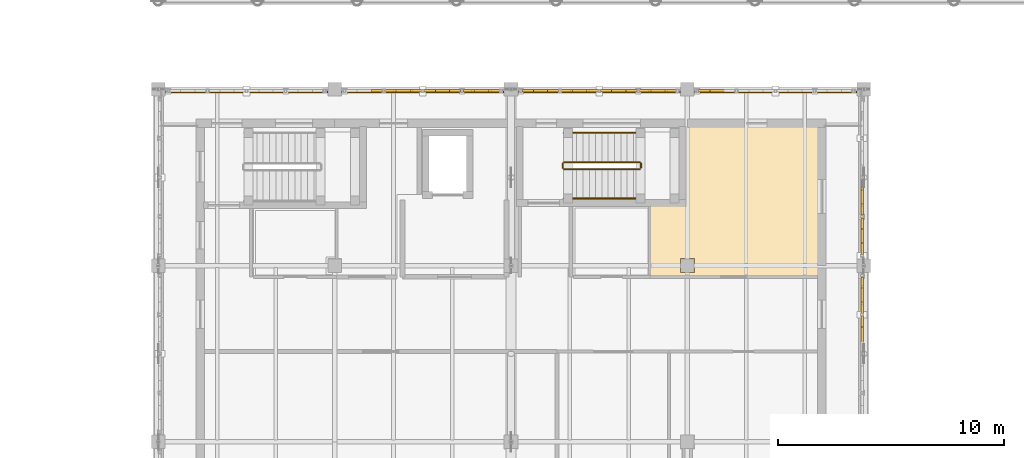
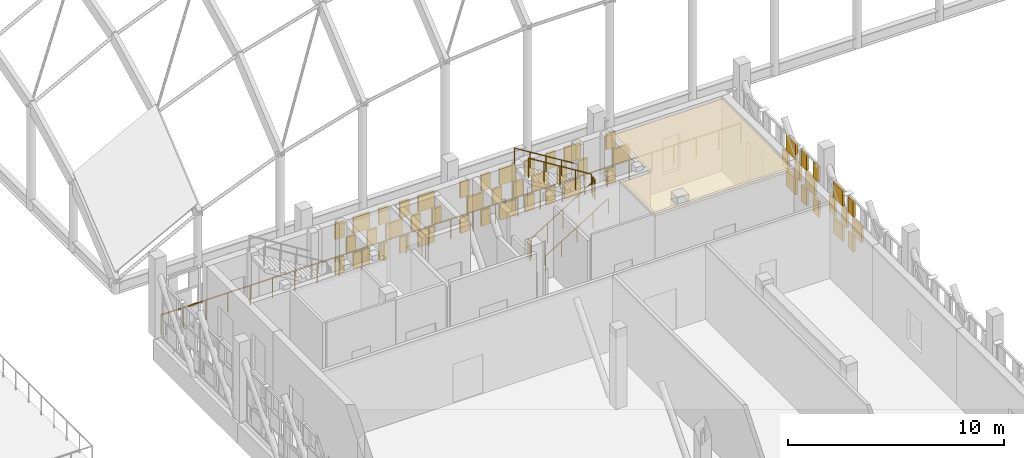
# One storey, part 111 of 119: 53 coverings, 7 railings.
"""IFC4 building model written with IfcOpenShell, lengths in metres."""

import ifcopenshell
import ifcopenshell.guid

model = None  # the IFC model being written
_history = None  # IfcOwnerHistory: only IFC2X3 demands one
_inside = {}  # id of a spatial element -> (the spatial element, [elements in it])
_under = {}  # id of a project, library or spatial element -> (it, [spatial elements below it])
_declared = {}  # id of a project -> (the project, [libraries it declares])
_typed = {}  # id of a type object -> (the type object, [elements of that type])
_made_of = {}  # id of a material, layer set ... -> (it, [elements and type objects made of it])


def new_model(schema):
    """Start an empty IFC model of exactly this schema.

    Asked for "IFC4X3", IfcOpenShell would pick the latest addendum, in which some entities
    have other attributes; the version numbers below select the first issue.
    IFC2X3 requires an IfcOwnerHistory on every rooted entity: one is made here for all.
    """
    global model, _history
    if schema == "IFC4X3":
        model = ifcopenshell.file(schema_version=(4, 3, 0, 0))
    else:
        model = ifcopenshell.file(schema=schema)
    _inside.clear()
    _under.clear()
    _declared.clear()
    _typed.clear()
    _made_of.clear()
    _history = None
    if model.schema == "IFC2X3":
        org = make("IfcOrganization", Name="unknown")
        user = make(
            "IfcPersonAndOrganization",
            ThePerson=make("IfcPerson", FamilyName="unknown"),
            TheOrganization=org,
        )
        app = make(
            "IfcApplication",
            ApplicationDeveloper=org,
            Version="unknown",
            ApplicationFullName="unknown",
            ApplicationIdentifier="unknown",
        )
        _history = make(
            "IfcOwnerHistory",
            OwningUser=user,
            OwningApplication=app,
            ChangeAction="ADDED",
            CreationDate=0,
        )
    return model


def make(cls, **values):
    """One entity of the class cls with the attributes given. An attribute that is None is left unset."""
    return model.create_entity(
        cls, **{name: value for name, value in values.items() if value is not None}
    )


def rooted(cls, **values):
    """An entity with a GlobalId (a new one), such as an element, a storey or a relation."""
    return make(cls, GlobalId=ifcopenshell.guid.new(), OwnerHistory=_history, **values)


def si_unit(unit_type, name, prefix=None):
    """IfcSIUnit, for example si_unit("LENGTHUNIT", "METRE", prefix="MILLI")."""
    return make("IfcSIUnit", UnitType=unit_type, Prefix=prefix, Name=name)


def assignment(units):
    """IfcUnitAssignment: the units of a project."""
    return None if units is None else make("IfcUnitAssignment", Units=units)


def point(xyz):
    """IfcCartesianPoint."""
    return None if xyz is None else make("IfcCartesianPoint", Coordinates=xyz)


def direction(xyz):
    """IfcDirection."""
    return None if xyz is None else make("IfcDirection", DirectionRatios=xyz)


def frame(location, z_axis=None, x_axis=None):
    """IfcAxis2Placement3D, a coordinate frame: its origin and axes. An axis left out is left unset."""
    return make(
        "IfcAxis2Placement3D",
        Location=point(location),
        Axis=direction(z_axis),
        RefDirection=direction(x_axis),
    )


def frame_2d(location, x_axis=None):
    """IfcAxis2Placement2D, a coordinate frame in the plane: its origin and x axis."""
    return make(
        "IfcAxis2Placement2D", Location=point(location), RefDirection=direction(x_axis)
    )


def origin():
    """The frame at (0, 0, 0) with its axes left unset."""
    return frame((0.0, 0.0, 0.0))


def origin_2d():
    """The frame at (0, 0) in the plane with its x axis left unset."""
    return frame_2d((0.0, 0.0))


def place(relative_to, where):
    """IfcLocalPlacement: puts the frame where relative to a parent placement (None: the world)."""
    return make(
        "IfcLocalPlacement", PlacementRelTo=relative_to, RelativePlacement=where
    )


def context(
    kind, dimensions, precision=None, world=None, true_north=None, identifier=None
):
    """IfcGeometricRepresentationContext, for example the 3D "Model" context."""
    return make(
        "IfcGeometricRepresentationContext",
        ContextIdentifier=identifier,
        ContextType=kind,
        CoordinateSpaceDimension=dimensions,
        Precision=precision,
        WorldCoordinateSystem=world,
        TrueNorth=true_north,
    )


def subcontext(parent, identifier, kind, view, scale=None):
    """IfcGeometricRepresentationSubContext, for example "Body" below "Model"."""
    return make(
        "IfcGeometricRepresentationSubContext",
        ContextIdentifier=identifier,
        ContextType=kind,
        ParentContext=parent,
        TargetScale=scale,
        TargetView=view,
    )


def project(units=None, contexts=None):
    """IfcProject with its units and contexts."""
    return rooted(
        "IfcProject",
        Name="project",
        RepresentationContexts=contexts,
        UnitsInContext=assignment(units),
    )


def spatial(cls, under=None, at=None, **own):
    """A site, building, storey or space (cls), placed at a placement, below another one or the project."""
    s = rooted(cls, ObjectPlacement=at, **own)
    if under is not None:
        _under.setdefault(under.id(), (under, []))[1].append(s)
    return s


def polyline(points):
    """IfcPolyline through the points."""
    return make("IfcPolyline", Points=[point(p) for p in points])


def profile(cls, at=None, kind="AREA", **sizes):
    """A parametric profile (cls). Its sizes go by their IFC names, for example OverallWidth=200.0."""
    return make(cls, ProfileType=kind, Position=at, **sizes)


def rectangle(**sizes):
    """IfcRectangleProfileDef."""
    return profile("IfcRectangleProfileDef", **sizes)


def circle(**sizes):
    """IfcCircleProfileDef."""
    return profile("IfcCircleProfileDef", **sizes)


def outline(outer, holes=None, kind="AREA"):
    """IfcArbitraryClosedProfileDef: a profile drawn as a closed curve; with holes, ...WithVoids."""
    if holes is None:
        return make("IfcArbitraryClosedProfileDef", ProfileType=kind, OuterCurve=outer)
    return make(
        "IfcArbitraryProfileDefWithVoids",
        ProfileType=kind,
        OuterCurve=outer,
        InnerCurves=holes,
    )


def extrude(swept, where, along, depth):
    """IfcExtrudedAreaSolid: the profile swept, set in the frame where, extruded along a direction by depth."""
    return make(
        "IfcExtrudedAreaSolid",
        SweptArea=swept,
        Position=where,
        ExtrudedDirection=direction(along),
        Depth=depth,
    )


def shape(context_of_items, identifier, shape_type, items):
    """IfcShapeRepresentation: the items that make up one representation, for example the "Body"."""
    return make(
        "IfcShapeRepresentation",
        ContextOfItems=context_of_items,
        RepresentationIdentifier=identifier,
        RepresentationType=shape_type,
        Items=items,
    )


def material(Name=None, Category=None):
    """IfcMaterial."""
    return make("IfcMaterial", Name=Name, Category=Category)


def layer(
    of_material, thickness, ventilated=None, Name=None, Category=None, Priority=None
):
    """IfcMaterialLayer: one layer of a wall or slab, of a material (None: an air gap)."""
    return make(
        "IfcMaterialLayer",
        Material=of_material,
        LayerThickness=thickness,
        IsVentilated=ventilated,
        Name=Name,
        Category=Category,
        Priority=Priority,
    )


def layer_set(layers, Name=None):
    """IfcMaterialLayerSet."""
    return make("IfcMaterialLayerSet", MaterialLayers=layers, LayerSetName=Name)


def made_of(thing, what):
    """Note that an element or type object is made of a material, layer set ...; save() writes the relation."""
    if what is not None:
        _made_of.setdefault(what.id(), (what, []))[1].append(thing)
    return thing


def type_object(cls, material=None, **own):
    """A type object (cls), such as IfcWallType, which elements share."""
    return made_of(rooted(cls, **own), material)


def element(
    cls,
    number,
    at=None,
    inside=None,
    cuts=None,
    type_object=None,
    material=None,
    context=None,
    identifier="Body",
    shape_type=None,
    held_by="IfcProductDefinitionShape",
    body=None,
    shapes=None,
    **own,
):
    """One element of the class cls, such as IfcWall. Its Tag is "e" and its number.

    at: its placement. inside: the storey or other place that contains it. cuts: it is an
    opening in that element (IfcRelVoidsElement). A single representation is given by context,
    identifier, shape_type and body (its items); several are given by shapes. held_by: the class
    of the entity that holds the representations. save() writes the other relations.
    """
    e = rooted(cls, Tag="e%d" % number, ObjectPlacement=at, **own)
    if body is not None:
        shapes = [shape(context, identifier, shape_type, body)]
    if shapes is not None:
        e.Representation = make(held_by, Representations=shapes)
    if inside is not None:
        _inside.setdefault(inside.id(), (inside, []))[1].append(e)
    if cuts is not None:
        rooted(
            "IfcRelVoidsElement", RelatingBuildingElement=cuts, RelatedOpeningElement=e
        )
    if type_object is not None:
        _typed.setdefault(type_object.id(), (type_object, []))[1].append(e)
    return made_of(e, material)


def aggregate(whole, parts):
    """IfcRelAggregates: a whole, such as a stair, and the parts it consists of."""
    return rooted("IfcRelAggregates", RelatingObject=whole, RelatedObjects=parts)


def save(model, path):
    """Write the relations noted so far, then the file.

    IfcRelAggregates (storeys below a building ...), IfcRelContainedInSpatialStructure (elements
    in a storey), IfcRelDefinesByType, IfcRelAssociatesMaterial and IfcRelDeclares: one each for
    every whole, place, type object, material and project.
    """
    for whole, parts in _under.values():
        aggregate(whole, parts)
    for where, things in _inside.values():
        rooted(
            "IfcRelContainedInSpatialStructure",
            RelatedElements=things,
            RelatingStructure=where,
        )
    for kind, things in _typed.values():
        rooted("IfcRelDefinesByType", RelatedObjects=things, RelatingType=kind)
    for what, things in _made_of.values():
        rooted("IfcRelAssociatesMaterial", RelatedObjects=things, RelatingMaterial=what)
    for by, libraries in _declared.values():
        rooted("IfcRelDeclares", RelatingContext=by, RelatedDefinitions=libraries)
    model.write(path)


model = new_model("IFC4")

# Units and contexts
model_context = context("Model", 3, precision=1e-05, world=origin(), true_north=direction((0.0, 1.0)))
body_context = subcontext(model_context, "Body", "Model", "MODEL_VIEW")
ifc_project = project(units=[si_unit("LENGTHUNIT", "METRE"), si_unit("AREAUNIT", "SQUARE_METRE"), si_unit("VOLUMEUNIT", "CUBIC_METRE"), si_unit("PLANEANGLEUNIT", "RADIAN"), si_unit("MASSUNIT", "GRAM", prefix="KILO")], contexts=[model_context])

# Site, building, storey
site_placement = place(None, origin())
site = spatial("IfcSite", under=ifc_project, at=site_placement, CompositionType="ELEMENT")
building_placement = place(site_placement, origin())
building = spatial("IfcBuilding", under=site, at=building_placement, Name="Celorna Specialist Clinic", CompositionType="ELEMENT")
storey_placement = place(building_placement, frame((0.0, 0.0, 9.60009765625)))
storey = spatial("IfcBuildingStorey", under=building, at=storey_placement, Name="L02", CompositionType="ELEMENT", Elevation=9.60009765625)

# Railing
ifc_material_1 = material(Name="Stainless steel and laminated glass balustrade", Category="steel")
railing_type_1 = type_object("IfcRailingType", Name="BL-01", PredefinedType="BALUSTRADE", material=ifc_material_1)
railing_1_placement = place(storey_placement, frame((54.719970703125, 42.780029296875, 0.0)))
element("IfcRailing", 1, at=railing_1_placement, inside=storey, type_object=railing_type_1, Name="Lecture Wing North Court Veranda L02 perimeter balustrade 2", PredefinedType="BALUSTRADE", context=body_context, shape_type="SweptSolid", body=[
    extrude(circle(Radius=0.02392578125, at=origin_2d()), frame((0.0, 0.0, 1.09619140625), z_axis=(1.0, 0.0, 0.0), x_axis=(0.0, 1.0, 0.0)), (0.0, 0.0, 1.0), 30.9599609375),
    extrude(circle(Radius=0.02099609375, at=origin_2d()), origin(), (0.0, 0.0, 1.0), 1.072021484375),
    extrude(circle(Radius=0.02099609375, at=origin_2d()), frame((1.190673828125, 0.0, 0.0)), (0.0, 0.0, 1.0), 1.072021484375),
    extrude(circle(Radius=0.02099609375, at=origin_2d()), frame((2.381591796875, 0.0, 0.0)), (0.0, 0.0, 1.0), 1.072021484375),
    extrude(circle(Radius=0.02099609375, at=origin_2d()), frame((3.572265625, 0.0, 0.0)), (0.0, 0.0, 1.0), 1.072021484375),
    extrude(circle(Radius=0.02099609375, at=origin_2d()), frame((4.76318359375, 0.0, 0.0)), (0.0, 0.0, 1.0), 1.072021484375),
    extrude(circle(Radius=0.02099609375, at=origin_2d()), frame((5.953857421875, 0.0, 0.0)), (0.0, 0.0, 1.0), 1.072021484375),
    extrude(circle(Radius=0.02099609375, at=origin_2d()), frame((7.14453125, 0.0, 0.0)), (0.0, 0.0, 1.0), 1.072021484375),
    extrude(circle(Radius=0.02099609375, at=origin_2d()), frame((8.33544921875, 0.0, 0.0)), (0.0, 0.0, 1.0), 1.072021484375),
    extrude(circle(Radius=0.02099609375, at=origin_2d()), frame((9.526123046875, 0.0, 0.0)), (0.0, 0.0, 1.0), 1.072021484375),
    extrude(circle(Radius=0.02099609375, at=origin_2d()), frame((10.716796875, 0.0, 0.0)), (0.0, 0.0, 1.0), 1.072021484375),
    extrude(circle(Radius=0.02099609375, at=origin_2d()), frame((11.90771484375, 0.0, 0.0)), (0.0, 0.0, 1.0), 1.072021484375),
    extrude(circle(Radius=0.02099609375, at=origin_2d()), frame((13.098388671875, 0.0, 0.0)), (0.0, 0.0, 1.0), 1.072021484375),
    extrude(circle(Radius=0.02099609375, at=origin_2d()), frame((14.289306640625, 0.0, 0.0)), (0.0, 0.0, 1.0), 1.072021484375),
    extrude(circle(Radius=0.02099609375, at=origin_2d()), frame((15.47998046875, 0.0, 0.0)), (0.0, 0.0, 1.0), 1.072021484375),
    extrude(circle(Radius=0.02099609375, at=origin_2d()), frame((16.670654296875, 0.0, 0.0)), (0.0, 0.0, 1.0), 1.072021484375),
    extrude(circle(Radius=0.02099609375, at=origin_2d()), frame((17.861572265625, 0.0, 0.0)), (0.0, 0.0, 1.0), 1.072021484375),
    extrude(circle(Radius=0.02099609375, at=origin_2d()), frame((19.05224609375, 0.0, 0.0)), (0.0, 0.0, 1.0), 1.072021484375),
    extrude(circle(Radius=0.02099609375, at=origin_2d()), frame((20.2431640625, 0.0, 0.0)), (0.0, 0.0, 1.0), 1.072021484375),
    extrude(circle(Radius=0.02099609375, at=origin_2d()), frame((21.433837890625, 0.0, 0.0)), (0.0, 0.0, 1.0), 1.072021484375),
    extrude(circle(Radius=0.02099609375, at=origin_2d()), frame((22.62451171875, 0.0, 0.0)), (0.0, 0.0, 1.0), 1.072021484375),
    extrude(circle(Radius=0.02099609375, at=origin_2d()), frame((23.8154296875, 0.0, 0.0)), (0.0, 0.0, 1.0), 1.072021484375),
    extrude(circle(Radius=0.02099609375, at=origin_2d()), frame((25.006103515625, 0.0, 0.0)), (0.0, 0.0, 1.0), 1.072021484375),
    extrude(circle(Radius=0.02099609375, at=origin_2d()), frame((26.19677734375, 0.0, 0.0)), (0.0, 0.0, 1.0), 1.072021484375),
    extrude(circle(Radius=0.02099609375, at=origin_2d()), frame((27.3876953125, 0.0, 0.0)), (0.0, 0.0, 1.0), 1.072021484375),
    extrude(circle(Radius=0.02099609375, at=origin_2d()), frame((28.578369140625, 0.0, 0.0)), (0.0, 0.0, 1.0), 1.072021484375),
    extrude(circle(Radius=0.02099609375, at=origin_2d()), frame((29.769287109375, 0.0, 0.0)), (0.0, 0.0, 1.0), 1.072021484375),
    extrude(circle(Radius=0.02099609375, at=origin_2d()), frame((30.9599609375, 0.0, 0.0)), (0.0, 0.0, 1.0), 1.072021484375),
])

# Coverings
ifc_material_2 = material(Name="Hygienic acoustic mineral-fibre ceiling")
ifc_layer_1 = layer(ifc_material_2, 0.030029296875, Name="Hygienic acoustic mineral-fibre ceiling")
ifc_layer_set_1 = layer_set([ifc_layer_1], Name="Hygienic acoustic mineral-fibre ceiling")
covering_type_1 = type_object("IfcCoveringType", Name="CE-01", PredefinedType="CEILING", material=ifc_layer_set_1)
covering_1_placement = place(storey_placement, frame((0.0, 0.0, 4.02978515625)))
element("IfcCovering", 2, at=covering_1_placement, inside=storey, type_object=covering_type_1, Name="Acoustic ceiling L02-071", PredefinedType="CEILING", context=body_context, shape_type="SweptSolid", body=[
    extrude(outline(polyline([(76.324951171875, 34.5849609375), (76.324951171875, 37.735107421875), (77.925048828125, 37.735107421875), (77.925048828125, 41.22509765625), (83.77490234375, 41.22509765625), (83.77490234375, 34.5849609375), (76.324951171875, 34.5849609375)]), holes=[polyline([(78.304931640625, 35.405029296875), (77.695068359375, 35.405029296875), (77.695068359375, 34.794921875), (78.304931640625, 34.794921875), (78.304931640625, 35.405029296875)])]), origin(), (0.0, 0.0, 1.0), 0.030029296875),
])
ifc_material_3 = material(Name="Perforated terracotta brick weave cladding", Category="masonry")
ifc_layer_2 = layer(ifc_material_3, 0.114990234375, Name="Perforated terracotta brick weave cladding")
ifc_layer_set_2 = layer_set([ifc_layer_2], Name="Perforated terracotta brick weave cladding")
covering_type_2 = type_object("IfcCoveringType", Name="CL-02", PredefinedType="CLADDING", material=ifc_layer_set_2)
covering_2_placement = place(storey_placement, frame((85.72998046875, 32.62451171875, 0.099609375), z_axis=(0.0, 0.0, 1.0), x_axis=(0.0, 1.0, 0.0)))
element("IfcCovering", 3, at=covering_2_placement, inside=storey, type_object=covering_type_2, Name="Woven perforated terracotta brick course #365", PredefinedType="CLADDING", context=body_context, shape_type="SweptSolid", body=[
    extrude(rectangle(XDim=0.4912109375, YDim=0.114990234375, at=origin_2d()), origin(), (0.0, 0.0, 1.0), 0.893310546875),
])
covering_3_placement = place(storey_placement, frame((85.72998046875, 32.06494140625, 1.09326171875), z_axis=(0.0, 0.0, 1.0), x_axis=(0.0, 1.0, 0.0)))
element("IfcCovering", 4, at=covering_3_placement, inside=storey, type_object=covering_type_2, Name="Woven perforated terracotta brick course #366", PredefinedType="CLADDING", context=body_context, shape_type="SweptSolid", body=[
    extrude(rectangle(XDim=0.869384765625, YDim=0.114990234375, at=origin_2d()), origin(), (0.0, 0.0, 1.0), 0.893310546875),
])
covering_4_placement = place(storey_placement, frame((85.72998046875, 32.62451171875, 2.08642578125), z_axis=(0.0, 0.0, 1.0), x_axis=(0.0, 1.0, 0.0)))
element("IfcCovering", 5, at=covering_4_placement, inside=storey, type_object=covering_type_2, Name="Woven perforated terracotta brick course #368", PredefinedType="CLADDING", context=body_context, shape_type="SweptSolid", body=[
    extrude(rectangle(XDim=0.4912109375, YDim=0.114990234375, at=origin_2d()), origin(), (0.0, 0.0, 1.0), 0.893310546875),
])
covering_5_placement = place(storey_placement, frame((85.72998046875, 33.794921875, 0.099609375), z_axis=(0.0, 0.0, 1.0), x_axis=(0.0, 1.0, 0.0)))
element("IfcCovering", 6, at=covering_5_placement, inside=storey, type_object=covering_type_2, Name="Woven perforated terracotta brick course #369", PredefinedType="CLADDING", context=body_context, shape_type="SweptSolid", body=[
    extrude(rectangle(XDim=0.869384765625, YDim=0.114990234375, at=origin_2d()), origin(), (0.0, 0.0, 1.0), 0.893310546875),
])
for number, where, z_axis, x_axis, name in (
    (7, (85.72998046875, 33.235595703125, 1.09326171875), (0.0, 0.0, 1.0), (0.0, 1.0, 0.0), "Woven perforated terracotta brick course #370"),
    (8, (85.72998046875, 34.3544921875, 1.09326171875), (0.0, 0.0, 1.0), (0.0, 1.0, 0.0), "Woven perforated terracotta brick course #371"),
):
    element("IfcCovering", number, at=place(storey_placement, frame(where, z_axis=z_axis, x_axis=x_axis)), inside=storey, type_object=covering_type_2, Name=name, PredefinedType="CLADDING", context=body_context, shape_type="SweptSolid", body=[
        extrude(rectangle(XDim=0.4912109375, YDim=0.114990234375, at=origin_2d()), origin(), (0.0, 0.0, 1.0), 0.893310546875),
    ])
covering_6_placement = place(storey_placement, frame((85.72998046875, 33.794921875, 2.08642578125), z_axis=(0.0, 0.0, 1.0), x_axis=(0.0, 1.0, 0.0)))
element("IfcCovering", 9, at=covering_6_placement, inside=storey, type_object=covering_type_2, Name="Woven perforated terracotta brick course #372", PredefinedType="CLADDING", context=body_context, shape_type="SweptSolid", body=[
    extrude(rectangle(XDim=0.869384765625, YDim=0.114990234375, at=origin_2d()), origin(), (0.0, 0.0, 1.0), 0.893310546875),
])
for number, where, z_axis, x_axis, name in (
    (10, (85.72998046875, 35.845458984375, 0.099609375), (0.0, 0.0, 1.0), (0.0, 1.0, 0.0), "Woven perforated terracotta brick course #373"),
    (11, (85.72998046875, 36.96435546875, 0.099609375), (0.0, 0.0, 1.0), (0.0, 1.0, 0.0), "Woven perforated terracotta brick course #374"),
):
    element("IfcCovering", number, at=place(storey_placement, frame(where, z_axis=z_axis, x_axis=x_axis)), inside=storey, type_object=covering_type_2, Name=name, PredefinedType="CLADDING", context=body_context, shape_type="SweptSolid", body=[
        extrude(rectangle(XDim=0.4912109375, YDim=0.114990234375, at=origin_2d()), origin(), (0.0, 0.0, 1.0), 0.893310546875),
    ])
covering_7_placement = place(storey_placement, frame((85.72998046875, 36.405029296875, 1.09326171875), z_axis=(0.0, 0.0, 1.0), x_axis=(0.0, 1.0, 0.0)))
element("IfcCovering", 12, at=covering_7_placement, inside=storey, type_object=covering_type_2, Name="Woven perforated terracotta brick course #375", PredefinedType="CLADDING", context=body_context, shape_type="SweptSolid", body=[
    extrude(rectangle(XDim=0.869384765625, YDim=0.114990234375, at=origin_2d()), origin(), (0.0, 0.0, 1.0), 0.893310546875),
])
for number, where, z_axis, x_axis, name in (
    (13, (85.72998046875, 35.845458984375, 2.08642578125), (0.0, 0.0, 1.0), (0.0, 1.0, 0.0), "Woven perforated terracotta brick course #376"),
    (14, (85.72998046875, 36.96435546875, 2.08642578125), (0.0, 0.0, 1.0), (0.0, 1.0, 0.0), "Woven perforated terracotta brick course #377"),
):
    element("IfcCovering", number, at=place(storey_placement, frame(where, z_axis=z_axis, x_axis=x_axis)), inside=storey, type_object=covering_type_2, Name=name, PredefinedType="CLADDING", context=body_context, shape_type="SweptSolid", body=[
        extrude(rectangle(XDim=0.4912109375, YDim=0.114990234375, at=origin_2d()), origin(), (0.0, 0.0, 1.0), 0.893310546875),
    ])
covering_8_placement = place(storey_placement, frame((85.72998046875, 38.135009765625, 0.099609375), z_axis=(0.0, 0.0, 1.0), x_axis=(0.0, 1.0, 0.0)))
element("IfcCovering", 15, at=covering_8_placement, inside=storey, type_object=covering_type_2, Name="Woven perforated terracotta brick course #378", PredefinedType="CLADDING", context=body_context, shape_type="SweptSolid", body=[
    extrude(rectangle(XDim=0.869384765625, YDim=0.114990234375, at=origin_2d()), origin(), (0.0, 0.0, 1.0), 0.893310546875),
])
for number, where, z_axis, x_axis, name in (
    (16, (85.72998046875, 37.575439453125, 1.09326171875), (0.0, 0.0, 1.0), (0.0, 1.0, 0.0), "Woven perforated terracotta brick course #379"),
    (17, (85.72998046875, 38.694580078125, 1.09326171875), (0.0, 0.0, 1.0), (0.0, 1.0, 0.0), "Woven perforated terracotta brick course #380"),
):
    element("IfcCovering", number, at=place(storey_placement, frame(where, z_axis=z_axis, x_axis=x_axis)), inside=storey, type_object=covering_type_2, Name=name, PredefinedType="CLADDING", context=body_context, shape_type="SweptSolid", body=[
        extrude(rectangle(XDim=0.4912109375, YDim=0.114990234375, at=origin_2d()), origin(), (0.0, 0.0, 1.0), 0.893310546875),
    ])
covering_9_placement = place(storey_placement, frame((85.72998046875, 38.135009765625, 2.08642578125), z_axis=(0.0, 0.0, 1.0), x_axis=(0.0, 1.0, 0.0)))
element("IfcCovering", 18, at=covering_9_placement, inside=storey, type_object=covering_type_2, Name="Woven perforated terracotta brick course #381", PredefinedType="CLADDING", context=body_context, shape_type="SweptSolid", body=[
    extrude(rectangle(XDim=0.869384765625, YDim=0.114990234375, at=origin_2d()), origin(), (0.0, 0.0, 1.0), 0.893310546875),
])
for number, where, z_axis, x_axis, name in (
    (19, (64.264404296875, 42.830078125, 0.099609375), (0.0, 0.0, 1.0), (1.0, 0.0, 0.0), "Woven perforated terracotta brick course #492"),
    (20, (64.264404296875, 42.830078125, 2.08642578125), (0.0, 0.0, 1.0), (1.0, 0.0, 0.0), "Woven perforated terracotta brick course #495"),
):
    element("IfcCovering", number, at=place(storey_placement, frame(where, z_axis=z_axis, x_axis=x_axis)), inside=storey, type_object=covering_type_2, Name=name, PredefinedType="CLADDING", context=body_context, shape_type="SweptSolid", body=[
        extrude(rectangle(XDim=0.4912109375, YDim=0.114990234375, at=origin_2d()), origin(), (0.0, 0.0, 1.0), 0.893310546875),
    ])
covering_10_placement = place(storey_placement, frame((65.43505859375, 42.830078125, 0.099609375), z_axis=(0.0, 0.0, 1.0), x_axis=(1.0, 0.0, 0.0)))
element("IfcCovering", 21, at=covering_10_placement, inside=storey, type_object=covering_type_2, Name="Woven perforated terracotta brick course #496", PredefinedType="CLADDING", context=body_context, shape_type="SweptSolid", body=[
    extrude(rectangle(XDim=0.869384765625, YDim=0.114990234375, at=origin_2d()), origin(), (0.0, 0.0, 1.0), 0.893310546875),
])
for number, where, z_axis, x_axis, name in (
    (22, (64.87548828125, 42.830078125, 1.09326171875), (0.0, 0.0, 1.0), (1.0, 0.0, 0.0), "Woven perforated terracotta brick course #497"),
    (23, (65.994384765625, 42.830078125, 1.09326171875), (0.0, 0.0, 1.0), (1.0, 0.0, 0.0), "Woven perforated terracotta brick course #498"),
):
    element("IfcCovering", number, at=place(storey_placement, frame(where, z_axis=z_axis, x_axis=x_axis)), inside=storey, type_object=covering_type_2, Name=name, PredefinedType="CLADDING", context=body_context, shape_type="SweptSolid", body=[
        extrude(rectangle(XDim=0.4912109375, YDim=0.114990234375, at=origin_2d()), origin(), (0.0, 0.0, 1.0), 0.893310546875),
    ])
covering_11_placement = place(storey_placement, frame((65.43505859375, 42.830078125, 2.08642578125), z_axis=(0.0, 0.0, 1.0), x_axis=(1.0, 0.0, 0.0)))
element("IfcCovering", 24, at=covering_11_placement, inside=storey, type_object=covering_type_2, Name="Woven perforated terracotta brick course #499", PredefinedType="CLADDING", context=body_context, shape_type="SweptSolid", body=[
    extrude(rectangle(XDim=0.869384765625, YDim=0.114990234375, at=origin_2d()), origin(), (0.0, 0.0, 1.0), 0.893310546875),
])
for number, where, z_axis, x_axis, name in (
    (25, (66.60546875, 42.830078125, 0.099609375), (0.0, 0.0, 1.0), (1.0, 0.0, 0.0), "Woven perforated terracotta brick course #500"),
    (26, (67.724609375, 42.830078125, 0.099609375), (0.0, 0.0, 1.0), (1.0, 0.0, 0.0), "Woven perforated terracotta brick course #501"),
):
    element("IfcCovering", number, at=place(storey_placement, frame(where, z_axis=z_axis, x_axis=x_axis)), inside=storey, type_object=covering_type_2, Name=name, PredefinedType="CLADDING", context=body_context, shape_type="SweptSolid", body=[
        extrude(rectangle(XDim=0.4912109375, YDim=0.114990234375, at=origin_2d()), origin(), (0.0, 0.0, 1.0), 0.893310546875),
    ])
covering_12_placement = place(storey_placement, frame((67.1650390625, 42.830078125, 1.09326171875), z_axis=(0.0, 0.0, 1.0), x_axis=(1.0, 0.0, 0.0)))
element("IfcCovering", 27, at=covering_12_placement, inside=storey, type_object=covering_type_2, Name="Woven perforated terracotta brick course #502", PredefinedType="CLADDING", context=body_context, shape_type="SweptSolid", body=[
    extrude(rectangle(XDim=0.869384765625, YDim=0.114990234375, at=origin_2d()), origin(), (0.0, 0.0, 1.0), 0.893310546875),
])
for number, where, z_axis, x_axis, name in (
    (28, (66.60546875, 42.830078125, 2.08642578125), (0.0, 0.0, 1.0), (1.0, 0.0, 0.0), "Woven perforated terracotta brick course #503"),
    (29, (67.724609375, 42.830078125, 2.08642578125), (0.0, 0.0, 1.0), (1.0, 0.0, 0.0), "Woven perforated terracotta brick course #504"),
):
    element("IfcCovering", number, at=place(storey_placement, frame(where, z_axis=z_axis, x_axis=x_axis)), inside=storey, type_object=covering_type_2, Name=name, PredefinedType="CLADDING", context=body_context, shape_type="SweptSolid", body=[
        extrude(rectangle(XDim=0.4912109375, YDim=0.114990234375, at=origin_2d()), origin(), (0.0, 0.0, 1.0), 0.893310546875),
    ])
covering_13_placement = place(storey_placement, frame((68.89501953125, 42.830078125, 0.099609375), z_axis=(0.0, 0.0, 1.0), x_axis=(1.0, 0.0, 0.0)))
element("IfcCovering", 30, at=covering_13_placement, inside=storey, type_object=covering_type_2, Name="Woven perforated terracotta brick course #505", PredefinedType="CLADDING", context=body_context, shape_type="SweptSolid", body=[
    extrude(rectangle(XDim=0.869384765625, YDim=0.114990234375, at=origin_2d()), origin(), (0.0, 0.0, 1.0), 0.893310546875),
])
for number, where, z_axis, x_axis, name in (
    (31, (68.33544921875, 42.830078125, 1.09326171875), (0.0, 0.0, 1.0), (1.0, 0.0, 0.0), "Woven perforated terracotta brick course #506"),
    (32, (69.45458984375, 42.830078125, 1.09326171875), (0.0, 0.0, 1.0), (1.0, 0.0, 0.0), "Woven perforated terracotta brick course #507"),
):
    element("IfcCovering", number, at=place(storey_placement, frame(where, z_axis=z_axis, x_axis=x_axis)), inside=storey, type_object=covering_type_2, Name=name, PredefinedType="CLADDING", context=body_context, shape_type="SweptSolid", body=[
        extrude(rectangle(XDim=0.4912109375, YDim=0.114990234375, at=origin_2d()), origin(), (0.0, 0.0, 1.0), 0.893310546875),
    ])
covering_14_placement = place(storey_placement, frame((68.89501953125, 42.830078125, 2.08642578125), z_axis=(0.0, 0.0, 1.0), x_axis=(1.0, 0.0, 0.0)))
element("IfcCovering", 33, at=covering_14_placement, inside=storey, type_object=covering_type_2, Name="Woven perforated terracotta brick course #508", PredefinedType="CLADDING", context=body_context, shape_type="SweptSolid", body=[
    extrude(rectangle(XDim=0.869384765625, YDim=0.114990234375, at=origin_2d()), origin(), (0.0, 0.0, 1.0), 0.893310546875),
])
for number, where, z_axis, x_axis, name in (
    (34, (70.945556640625, 42.830078125, 0.099609375), (0.0, 0.0, 1.0), (1.0, 0.0, 0.0), "Woven perforated terracotta brick course #509"),
    (35, (72.064453125, 42.830078125, 0.099609375), (0.0, 0.0, 1.0), (1.0, 0.0, 0.0), "Woven perforated terracotta brick course #510"),
):
    element("IfcCovering", number, at=place(storey_placement, frame(where, z_axis=z_axis, x_axis=x_axis)), inside=storey, type_object=covering_type_2, Name=name, PredefinedType="CLADDING", context=body_context, shape_type="SweptSolid", body=[
        extrude(rectangle(XDim=0.4912109375, YDim=0.114990234375, at=origin_2d()), origin(), (0.0, 0.0, 1.0), 0.893310546875),
    ])
covering_15_placement = place(storey_placement, frame((71.5048828125, 42.830078125, 1.09326171875), z_axis=(0.0, 0.0, 1.0), x_axis=(1.0, 0.0, 0.0)))
element("IfcCovering", 36, at=covering_15_placement, inside=storey, type_object=covering_type_2, Name="Woven perforated terracotta brick course #511", PredefinedType="CLADDING", context=body_context, shape_type="SweptSolid", body=[
    extrude(rectangle(XDim=0.869384765625, YDim=0.114990234375, at=origin_2d()), origin(), (0.0, 0.0, 1.0), 0.893310546875),
])
for number, where, z_axis, x_axis, name in (
    (37, (70.945556640625, 42.830078125, 2.08642578125), (0.0, 0.0, 1.0), (1.0, 0.0, 0.0), "Woven perforated terracotta brick course #512"),
    (38, (72.064453125, 42.830078125, 2.08642578125), (0.0, 0.0, 1.0), (1.0, 0.0, 0.0), "Woven perforated terracotta brick course #513"),
):
    element("IfcCovering", number, at=place(storey_placement, frame(where, z_axis=z_axis, x_axis=x_axis)), inside=storey, type_object=covering_type_2, Name=name, PredefinedType="CLADDING", context=body_context, shape_type="SweptSolid", body=[
        extrude(rectangle(XDim=0.4912109375, YDim=0.114990234375, at=origin_2d()), origin(), (0.0, 0.0, 1.0), 0.893310546875),
    ])
covering_16_placement = place(storey_placement, frame((73.235107421875, 42.830078125, 0.099609375), z_axis=(0.0, 0.0, 1.0), x_axis=(1.0, 0.0, 0.0)))
element("IfcCovering", 39, at=covering_16_placement, inside=storey, type_object=covering_type_2, Name="Woven perforated terracotta brick course #514", PredefinedType="CLADDING", context=body_context, shape_type="SweptSolid", body=[
    extrude(rectangle(XDim=0.869384765625, YDim=0.114990234375, at=origin_2d()), origin(), (0.0, 0.0, 1.0), 0.893310546875),
])
for number, where, z_axis, x_axis, name in (
    (40, (72.675537109375, 42.830078125, 1.09326171875), (0.0, 0.0, 1.0), (1.0, 0.0, 0.0), "Woven perforated terracotta brick course #515"),
    (41, (73.79443359375, 42.830078125, 1.09326171875), (0.0, 0.0, 1.0), (1.0, 0.0, 0.0), "Woven perforated terracotta brick course #516"),
):
    element("IfcCovering", number, at=place(storey_placement, frame(where, z_axis=z_axis, x_axis=x_axis)), inside=storey, type_object=covering_type_2, Name=name, PredefinedType="CLADDING", context=body_context, shape_type="SweptSolid", body=[
        extrude(rectangle(XDim=0.4912109375, YDim=0.114990234375, at=origin_2d()), origin(), (0.0, 0.0, 1.0), 0.893310546875),
    ])
covering_17_placement = place(storey_placement, frame((73.235107421875, 42.830078125, 2.08642578125), z_axis=(0.0, 0.0, 1.0), x_axis=(1.0, 0.0, 0.0)))
element("IfcCovering", 42, at=covering_17_placement, inside=storey, type_object=covering_type_2, Name="Woven perforated terracotta brick course #517", PredefinedType="CLADDING", context=body_context, shape_type="SweptSolid", body=[
    extrude(rectangle(XDim=0.869384765625, YDim=0.114990234375, at=origin_2d()), origin(), (0.0, 0.0, 1.0), 0.893310546875),
])
for number, where, z_axis, x_axis, name in (
    (43, (74.405517578125, 42.830078125, 0.099609375), (0.0, 0.0, 1.0), (1.0, 0.0, 0.0), "Woven perforated terracotta brick course #518"),
    (44, (75.5244140625, 42.830078125, 0.099609375), (0.0, 0.0, 1.0), (1.0, 0.0, 0.0), "Woven perforated terracotta brick course #519"),
):
    element("IfcCovering", number, at=place(storey_placement, frame(where, z_axis=z_axis, x_axis=x_axis)), inside=storey, type_object=covering_type_2, Name=name, PredefinedType="CLADDING", context=body_context, shape_type="SweptSolid", body=[
        extrude(rectangle(XDim=0.4912109375, YDim=0.114990234375, at=origin_2d()), origin(), (0.0, 0.0, 1.0), 0.893310546875),
    ])
covering_18_placement = place(storey_placement, frame((74.965087890625, 42.830078125, 1.09326171875), z_axis=(0.0, 0.0, 1.0), x_axis=(1.0, 0.0, 0.0)))
element("IfcCovering", 45, at=covering_18_placement, inside=storey, type_object=covering_type_2, Name="Woven perforated terracotta brick course #520", PredefinedType="CLADDING", context=body_context, shape_type="SweptSolid", body=[
    extrude(rectangle(XDim=0.869384765625, YDim=0.114990234375, at=origin_2d()), origin(), (0.0, 0.0, 1.0), 0.893310546875),
])
for number, where, z_axis, x_axis, name in (
    (46, (74.405517578125, 42.830078125, 2.08642578125), (0.0, 0.0, 1.0), (1.0, 0.0, 0.0), "Woven perforated terracotta brick course #521"),
    (47, (75.5244140625, 42.830078125, 2.08642578125), (0.0, 0.0, 1.0), (1.0, 0.0, 0.0), "Woven perforated terracotta brick course #522"),
):
    element("IfcCovering", number, at=place(storey_placement, frame(where, z_axis=z_axis, x_axis=x_axis)), inside=storey, type_object=covering_type_2, Name=name, PredefinedType="CLADDING", context=body_context, shape_type="SweptSolid", body=[
        extrude(rectangle(XDim=0.4912109375, YDim=0.114990234375, at=origin_2d()), origin(), (0.0, 0.0, 1.0), 0.893310546875),
    ])
covering_19_placement = place(storey_placement, frame((76.695068359375, 42.830078125, 0.099609375), z_axis=(0.0, 0.0, 1.0), x_axis=(1.0, 0.0, 0.0)))
element("IfcCovering", 48, at=covering_19_placement, inside=storey, type_object=covering_type_2, Name="Woven perforated terracotta brick course #523", PredefinedType="CLADDING", context=body_context, shape_type="SweptSolid", body=[
    extrude(rectangle(XDim=0.869384765625, YDim=0.114990234375, at=origin_2d()), origin(), (0.0, 0.0, 1.0), 0.893310546875),
])
for number, where, z_axis, x_axis, name in (
    (49, (76.135498046875, 42.830078125, 1.09326171875), (0.0, 0.0, 1.0), (1.0, 0.0, 0.0), "Woven perforated terracotta brick course #524"),
    (50, (77.25439453125, 42.830078125, 1.09326171875), (0.0, 0.0, 1.0), (1.0, 0.0, 0.0), "Woven perforated terracotta brick course #525"),
):
    element("IfcCovering", number, at=place(storey_placement, frame(where, z_axis=z_axis, x_axis=x_axis)), inside=storey, type_object=covering_type_2, Name=name, PredefinedType="CLADDING", context=body_context, shape_type="SweptSolid", body=[
        extrude(rectangle(XDim=0.4912109375, YDim=0.114990234375, at=origin_2d()), origin(), (0.0, 0.0, 1.0), 0.893310546875),
    ])
covering_20_placement = place(storey_placement, frame((76.695068359375, 42.830078125, 2.08642578125), z_axis=(0.0, 0.0, 1.0), x_axis=(1.0, 0.0, 0.0)))
element("IfcCovering", 51, at=covering_20_placement, inside=storey, type_object=covering_type_2, Name="Woven perforated terracotta brick course #526", PredefinedType="CLADDING", context=body_context, shape_type="SweptSolid", body=[
    extrude(rectangle(XDim=0.869384765625, YDim=0.114990234375, at=origin_2d()), origin(), (0.0, 0.0, 1.0), 0.893310546875),
])
covering_21_placement = place(storey_placement, frame((78.74560546875, 42.830078125, 0.099609375), z_axis=(0.0, 0.0, 1.0), x_axis=(1.0, 0.0, 0.0)))
element("IfcCovering", 52, at=covering_21_placement, inside=storey, type_object=covering_type_2, Name="Woven perforated terracotta brick course #527", PredefinedType="CLADDING", context=body_context, shape_type="SweptSolid", body=[
    extrude(rectangle(XDim=0.4912109375, YDim=0.114990234375, at=origin_2d()), origin(), (0.0, 0.0, 1.0), 0.893310546875),
])
covering_22_placement = place(storey_placement, frame((79.304931640625, 42.830078125, 1.09326171875), z_axis=(0.0, 0.0, 1.0), x_axis=(1.0, 0.0, 0.0)))
element("IfcCovering", 53, at=covering_22_placement, inside=storey, type_object=covering_type_2, Name="Woven perforated terracotta brick course #529", PredefinedType="CLADDING", context=body_context, shape_type="SweptSolid", body=[
    extrude(rectangle(XDim=0.869384765625, YDim=0.114990234375, at=origin_2d()), origin(), (0.0, 0.0, 1.0), 0.893310546875),
])
covering_23_placement = place(storey_placement, frame((78.74560546875, 42.830078125, 2.08642578125), z_axis=(0.0, 0.0, 1.0), x_axis=(1.0, 0.0, 0.0)))
element("IfcCovering", 54, at=covering_23_placement, inside=storey, type_object=covering_type_2, Name="Woven perforated terracotta brick course #530", PredefinedType="CLADDING", context=body_context, shape_type="SweptSolid", body=[
    extrude(rectangle(XDim=0.4912109375, YDim=0.114990234375, at=origin_2d()), origin(), (0.0, 0.0, 1.0), 0.893310546875),
])

# Railings
ifc_material_4 = material(Name="Powder-coated steel S355", Category="steel")
railing_type_2 = type_object("IfcRailingType", Name="GR-01", PredefinedType="GUARDRAIL", material=ifc_material_4)
railing_2_placement = place(storey_placement, frame((72.5400390625, 39.3701171875, 0.173095703125)))
element("IfcRailing", 55, at=railing_2_placement, inside=storey, type_object=railing_type_2, Name="L02 ST-09 stair guard 1", PredefinedType="GUARDRAIL", context=body_context, shape_type="SweptSolid", body=[
    extrude(circle(Radius=0.02392578125, at=origin_2d()), frame((0.0, 0.0, 1.09619140625), z_axis=(0.850606129759, 0.0, 0.525803396734), x_axis=(0.0, 1.0, 0.0)), (0.0, 0.0, 1.0), 3.949951171875),
    extrude(circle(Radius=0.02099609375, at=origin_2d()), origin(), (0.0, 0.0, 1.0), 1.072021484375),
    extrude(circle(Radius=0.02099609375, at=origin_2d()), frame((0.83984375, 0.0, 0.519287109375)), (0.0, 0.0, 1.0), 1.072021484375),
    extrude(circle(Radius=0.02099609375, at=origin_2d()), frame((1.679931640625, 0.0, 1.03857421875)), (0.0, 0.0, 1.0), 1.072021484375),
    extrude(circle(Radius=0.02099609375, at=origin_2d()), frame((2.52001953125, 0.0, 1.5576171875)), (0.0, 0.0, 1.0), 1.072021484375),
    extrude(circle(Radius=0.02099609375, at=origin_2d()), frame((3.35986328125, 0.0, 2.076904296875)), (0.0, 0.0, 1.0), 1.072021484375),
])
railing_3_placement = place(storey_placement, frame((75.949951171875, 39.419921875, 2.25)))
element("IfcRailing", 56, at=railing_3_placement, inside=storey, type_object=railing_type_2, Name="L02 ST-09 stair guard 2", PredefinedType="GUARDRAIL", context=body_context, shape_type="SweptSolid", body=[
    extrude(circle(Radius=0.02392578125, at=origin_2d()), frame((0.0, 0.0, 1.09619140625), z_axis=(0.0, 1.0, 0.0), x_axis=(-1.0, 0.0, 0.0)), (0.0, 0.0, 1.0), 0.2001953125),
    extrude(circle(Radius=0.02099609375, at=origin_2d()), origin(), (0.0, 0.0, 1.0), 1.072021484375),
    extrude(circle(Radius=0.02099609375, at=origin_2d()), frame((0.0, 0.2001953125, 0.0)), (0.0, 0.0, 1.0), 1.072021484375),
])
railing_4_placement = place(storey_placement, frame((75.89990234375, 39.669921875, 2.423095703125)))
element("IfcRailing", 57, at=railing_4_placement, inside=storey, type_object=railing_type_2, Name="L02 ST-09 stair guard 3", PredefinedType="GUARDRAIL", context=body_context, shape_type="SweptSolid", body=[
    extrude(circle(Radius=0.02392578125, at=origin_2d()), frame((0.0, 0.0, 1.09619140625), z_axis=(-0.850606129759, 0.0, 0.525803396734), x_axis=(0.0, -1.0, 0.0)), (0.0, 0.0, 1.0), 3.949951171875),
    extrude(circle(Radius=0.02099609375, at=origin_2d()), origin(), (0.0, 0.0, 1.0), 1.072021484375),
    extrude(circle(Radius=0.02099609375, at=origin_2d()), frame((-0.83984375, 0.0, 0.519287109375)), (0.0, 0.0, 1.0), 1.072021484375),
    extrude(circle(Radius=0.02099609375, at=origin_2d()), frame((-1.679931640625, 0.0, 1.03857421875)), (0.0, 0.0, 1.0), 1.072021484375),
    extrude(circle(Radius=0.02099609375, at=origin_2d()), frame((-2.52001953125, 0.0, 1.5576171875)), (0.0, 0.0, 1.0), 1.072021484375),
    extrude(circle(Radius=0.02099609375, at=origin_2d()), frame((-3.35986328125, 0.0, 2.076904296875)), (0.0, 0.0, 1.0), 1.072021484375),
])
railing_5_placement = place(storey_placement, frame((72.489990234375, 39.419921875, 0.0)))
element("IfcRailing", 58, at=railing_5_placement, inside=storey, type_object=railing_type_2, Name="L02 ST-09 stair guard 4", PredefinedType="GUARDRAIL", context=body_context, shape_type="SweptSolid", body=[
    extrude(circle(Radius=0.02392578125, at=origin_2d()), frame((0.0, 0.0, 1.09619140625), z_axis=(0.0, 1.0, 0.0), x_axis=(-1.0, 0.0, 0.0)), (0.0, 0.0, 1.0), 0.2001953125),
    extrude(circle(Radius=0.02099609375, at=origin_2d()), origin(), (0.0, 0.0, 1.0), 1.072021484375),
    extrude(circle(Radius=0.02099609375, at=origin_2d()), frame((0.0, 0.2001953125, 0.0)), (0.0, 0.0, 1.0), 1.072021484375),
])
ifc_material_5 = material(Name="Brushed stainless steel handrail", Category="steel")
railing_type_3 = type_object("IfcRailingType", Name="HR-01", PredefinedType="HANDRAIL", material=ifc_material_5)
railing_6_placement = place(storey_placement, frame((72.5400390625, 38.070068359375, 0.173095703125)))
element("IfcRailing", 59, at=railing_6_placement, inside=storey, type_object=railing_type_3, Name="L02 ST-09 stair handrail 1", PredefinedType="HANDRAIL", context=body_context, shape_type="SweptSolid", body=[
    extrude(circle(Radius=0.02392578125, at=origin_2d()), frame((0.0, 0.0, 0.8759765625), z_axis=(0.850606129759, 0.0, 0.525803396734), x_axis=(0.0, 1.0, 0.0)), (0.0, 0.0, 1.0), 3.949951171875),
    extrude(circle(Radius=0.02099609375, at=origin_2d()), origin(), (0.0, 0.0, 1.0), 0.851806640625),
    extrude(circle(Radius=0.02099609375, at=origin_2d()), frame((0.83984375, 0.0, 0.519287109375)), (0.0, 0.0, 1.0), 0.851806640625),
    extrude(circle(Radius=0.02099609375, at=origin_2d()), frame((1.679931640625, 0.0, 1.03857421875)), (0.0, 0.0, 1.0), 0.851806640625),
    extrude(circle(Radius=0.02099609375, at=origin_2d()), frame((2.52001953125, 0.0, 1.5576171875)), (0.0, 0.0, 1.0), 0.851806640625),
    extrude(circle(Radius=0.02099609375, at=origin_2d()), frame((3.35986328125, 0.0, 2.076904296875)), (0.0, 0.0, 1.0), 0.851806640625),
])
railing_7_placement = place(storey_placement, frame((75.89990234375, 40.969970703125, 2.423095703125)))
element("IfcRailing", 60, at=railing_7_placement, inside=storey, type_object=railing_type_3, Name="L02 ST-09 stair handrail 2", PredefinedType="HANDRAIL", context=body_context, shape_type="SweptSolid", body=[
    extrude(circle(Radius=0.02392578125, at=origin_2d()), frame((0.0, 0.0, 0.8759765625), z_axis=(-0.850606129759, 0.0, 0.525803396734), x_axis=(0.0, -1.0, 0.0)), (0.0, 0.0, 1.0), 3.949951171875),
    extrude(circle(Radius=0.02099609375, at=origin_2d()), origin(), (0.0, 0.0, 1.0), 0.851806640625),
    extrude(circle(Radius=0.02099609375, at=origin_2d()), frame((-0.83984375, 0.0, 0.519287109375)), (0.0, 0.0, 1.0), 0.851806640625),
    extrude(circle(Radius=0.02099609375, at=origin_2d()), frame((-1.679931640625, 0.0, 1.03857421875)), (0.0, 0.0, 1.0), 0.851806640625),
    extrude(circle(Radius=0.02099609375, at=origin_2d()), frame((-2.52001953125, 0.0, 1.5576171875)), (0.0, 0.0, 1.0), 0.851806640625),
    extrude(circle(Radius=0.02099609375, at=origin_2d()), frame((-3.35986328125, 0.0, 2.076904296875)), (0.0, 0.0, 1.0), 0.851806640625),
])

save(model, "model.ifc")
